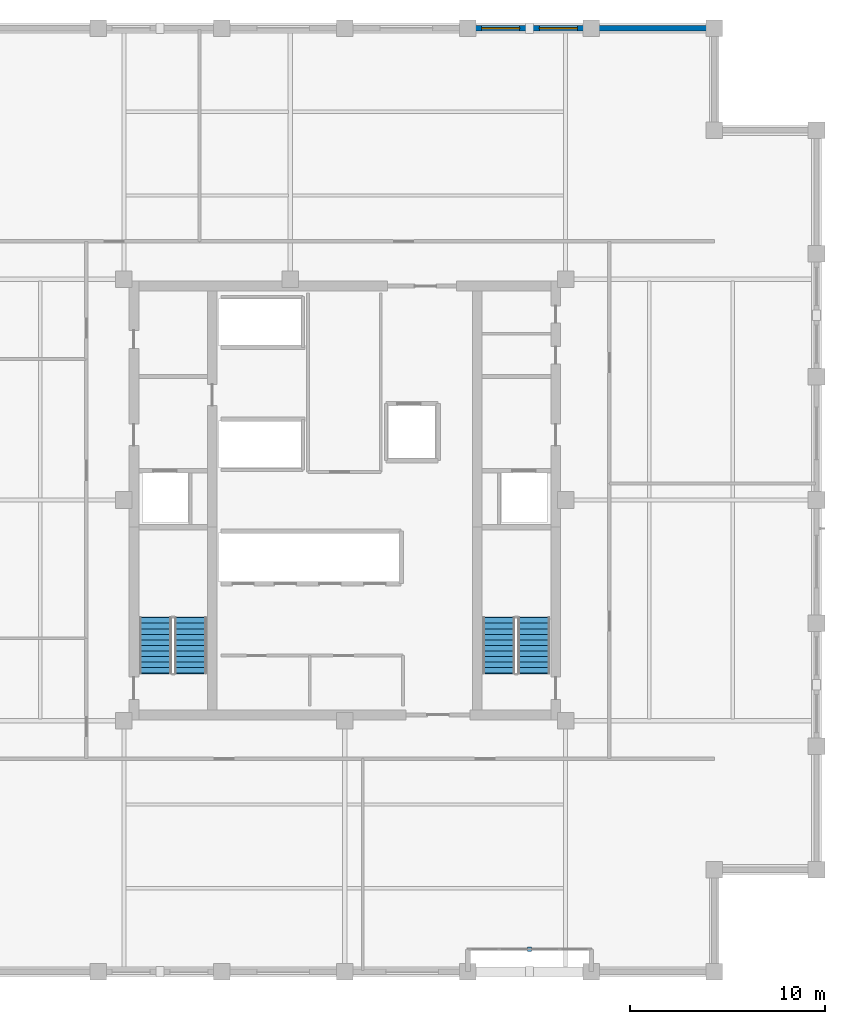
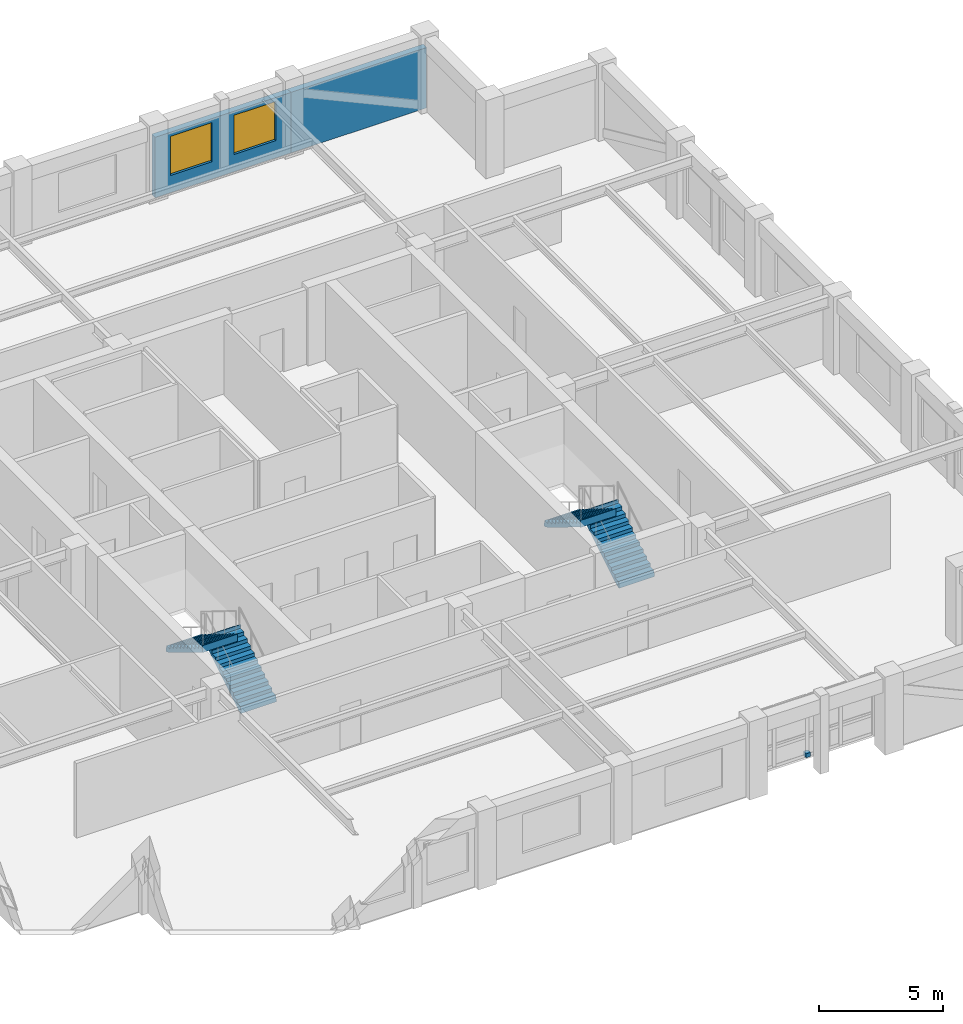
# One storey, part 12 of 13: 4 stair flights, 2 walls, 2 windows, 1 discrete accessory, 2 openings, 2 elements without a shape of their own.
"""IFC4 building model written with IfcOpenShell, lengths in metres."""

from ifc_helpers import new_model, si_unit, direction, frame, frame_2d, origin, origin_2d, place, context, subcontext, project, spatial, polyline, rectangle, outline, extrude, material, layer, layer_set, type_object, element, fill, aggregate, save


model = new_model("IFC4")

# Units and contexts
model_context = context("Model", 3, precision=1e-05, world=origin(), true_north=direction((0.0, 1.0)))
body_context = subcontext(model_context, "Body", "Model", "MODEL_VIEW")
ifc_project = project(units=[si_unit("LENGTHUNIT", "METRE"), si_unit("AREAUNIT", "SQUARE_METRE"), si_unit("VOLUMEUNIT", "CUBIC_METRE"), si_unit("PLANEANGLEUNIT", "RADIAN"), si_unit("MASSUNIT", "GRAM", prefix="KILO")], contexts=[model_context])

# Site, building, storey
site_placement = place(None, origin())
site = spatial("IfcSite", under=ifc_project, at=site_placement, CompositionType="ELEMENT")
building_placement = place(site_placement, origin())
building = spatial("IfcBuilding", under=site, at=building_placement, Name="Nhamokura Convention Tower", CompositionType="ELEMENT")
storey_placement = place(building_placement, frame((0.0, 0.0, 213.85009765625)))
storey = spatial("IfcBuildingStorey", under=building, at=storey_placement, Name="L52", CompositionType="ELEMENT", Elevation=213.85009765625)

# Wall, openings, windows
ifc_material_1 = material(Name="Bronze-pigmented precast concrete C45/55", Category="concrete")
ifc_layer = layer(ifc_material_1, 0.280029296875)
ifc_layer_set = layer_set([ifc_layer], Name="BronzePrecastSpandrel_280")
wall_type = type_object("IfcWallType", Name="BronzePrecastSpandrel_280", PredefinedType="USERDEFINED", material=ifc_layer_set)
wall_1_placement = place(storey_placement, frame((38.333251953125, 56.25, 0.0), z_axis=(0.0, 0.0, 1.0), x_axis=(1.0, 0.0, 0.0)))
wall_1 = element("IfcWall", 1, at=wall_1_placement, inside=storey, type_object=wall_type, Name="L52 Masonry-Frame Wall NORTH 4", ObjectType="SPANDREL_WALL", PredefinedType="USERDEFINED", context=body_context, shape_type="SweptSolid", body=[
    extrude(rectangle(XDim=6.33349609375, YDim=0.280029296875, at=frame_2d((3.166748046875, 0.0))), origin(), (0.0, 0.0, 1.0), 2.98486328125),
])
opening_1_placement = place(wall_1_placement, frame((0.708251953125, 0.0, 0.85009765625)))
opening_1 = element("IfcOpeningElement", 2, at=opening_1_placement, cuts=wall_1, Name="Opening W-08", PredefinedType="OPENING", context=body_context, shape_type="SweptSolid", body=[
    extrude(rectangle(XDim=1.949951171875, YDim=1.93505859375, at=frame_2d((0.97509765625, 0.967529296875))), frame((0.0, 0.14990234375, 0.0), z_axis=(0.0, -1.0, 0.0), x_axis=(1.0, 0.0, 0.0)), (0.0, 0.0, 1.0), 0.300048828125),
])
opening_2_placement = place(wall_1_placement, frame((3.675048828125, 0.0, 0.85009765625)))
opening_2 = element("IfcOpeningElement", 3, at=opening_2_placement, cuts=wall_1, Name="Opening W-08", PredefinedType="OPENING", context=body_context, shape_type="SweptSolid", body=[
    extrude(rectangle(XDim=1.949951171875, YDim=1.93505859375, at=frame_2d((0.97509765625, 0.967529296875))), frame((0.0, 0.14990234375, 0.0), z_axis=(0.0, -1.0, 0.0), x_axis=(1.0, 0.0, 0.0)), (0.0, 0.0, 1.0), 0.300048828125),
])
ifc_material_2 = material(Name="Solar-control bronze low-E double glass", Category="glass")
window_type = type_object("IfcWindowType", Name="OfficeModuleWindow_Z3_1950", PartitioningType="SINGLE_PANEL", PredefinedType="WINDOW", material=ifc_material_2)
window_1_placement = place(opening_1_placement, origin())
window_1 = element("IfcWindow", 4, at=window_1_placement, inside=storey, type_object=window_type, Name="L52 Facade Window NORTH 4-1", OverallHeight=1.93505859375, OverallWidth=1.949951171875, PartitioningType="SINGLE_PANEL", PredefinedType="WINDOW", context=body_context, shape_type="SweptSolid", body=[
    extrude(rectangle(XDim=1.949951171875, YDim=1.93505859375, at=frame_2d((0.97509765625, 0.967529296875))), frame((0.0, 0.030029296875, 0.0), z_axis=(0.0, -1.0, 0.0), x_axis=(1.0, 0.0, 0.0)), (0.0, 0.0, 1.0), 0.06005859375),
])
fill(opening_1, window_1)
window_2_placement = place(opening_2_placement, origin())
window_2 = element("IfcWindow", 5, at=window_2_placement, inside=storey, type_object=window_type, Name="L52 Facade Window NORTH 4-2", OverallHeight=1.93505859375, OverallWidth=1.949951171875, PartitioningType="SINGLE_PANEL", PredefinedType="WINDOW", context=body_context, shape_type="SweptSolid", body=[
    extrude(rectangle(XDim=1.949951171875, YDim=1.93505859375, at=frame_2d((0.97509765625, 0.967529296875))), frame((0.0, 0.030029296875, 0.0), z_axis=(0.0, -1.0, 0.0), x_axis=(1.0, 0.0, 0.0)), (0.0, 0.0, 1.0), 0.06005859375),
])
fill(opening_2, window_2)

# Wall
wall_2_placement = place(storey_placement, frame((44.666748046875, 56.25, 0.0), z_axis=(0.0, 0.0, 1.0), x_axis=(1.0, 0.0, 0.0)))
element("IfcWall", 6, at=wall_2_placement, inside=storey, type_object=wall_type, Name="L52 Braced-Bay Precast Wall NORTH 5", ObjectType="SPANDREL_WALL", PredefinedType="USERDEFINED", context=body_context, shape_type="SweptSolid", body=[
    extrude(rectangle(XDim=6.333251953125, YDim=0.280029296875, at=frame_2d((3.16650390625, 0.0))), origin(), (0.0, 0.0, 1.0), 2.98486328125),
])

# Stair, stair flights
ifc_material_3 = material(Name="Concrete C40/50", Category="concrete")
stair_type = type_object("IfcStairType", Name="TowerCoreStair_1650", PredefinedType="HALF_TURN_STAIR", material=ifc_material_3)
stair_1_placement = place(storey_placement, origin())
stair_1 = element("IfcStair", 7, at=stair_1_placement, inside=storey, type_object=stair_type, Name="L52 West Core Smokeproof Stair ST-01", PredefinedType="HALF_TURN_STAIR")
ifc_material_4 = material(Name="Concrete C40/50", Category="concrete")
stair_flight_type = type_object("IfcStairFlightType", Name="TowerCoreStair_1650_Flight", PredefinedType="STRAIGHT", material=ifc_material_4)
stair_flight_1_placement = place(storey_placement, frame((24.074951171875, 23.10009765625, 0.0), z_axis=(0.0, 0.0, 1.0), x_axis=(0.0, 1.0, 0.0)))
stair_flight_1 = element("IfcStairFlight", 8, at=stair_flight_1_placement, type_object=stair_flight_type, Name="ST-01 flight 1", NumberOfRisers=11, NumberOfTreads=10, PredefinedType="STRAIGHT", RiserHeight=0.175, TreadLength=0.285, context=body_context, shape_type="SweptSolid", body=[
    extrude(outline(polyline([(-0.0419921875, 0.0), (0.0, 0.175048828125), (0.284912109375, 0.175048828125), (0.284912109375, 0.35009765625), (0.570068359375, 0.35009765625), (0.570068359375, 0.52490234375), (0.85498046875, 0.52490234375), (0.85498046875, 0.699951171875), (1.139892578125, 0.699951171875), (1.139892578125, 0.875), (1.425048828125, 0.875), (1.425048828125, 1.050048828125), (1.7099609375, 1.050048828125), (1.7099609375, 1.22509765625), (1.9951171875, 1.22509765625), (1.9951171875, 1.39990234375), (2.280029296875, 1.39990234375), (2.280029296875, 1.574951171875), (2.56494140625, 1.574951171875), (2.56494140625, 1.75), (2.85009765625, 1.75), (2.85009765625, 1.925048828125), (2.89208984375, 1.925048828125), (2.89208984375, 1.573974609375), (2.85009765625, 1.573974609375), (0.286376953125, 0.0), (0.02001953125, -0.1298828125), (-0.0419921875, -0.1298828125), (-0.0419921875, 0.0)])), frame((0.0, 0.824951171875, 0.0), z_axis=(0.0, -1.0, 0.0), x_axis=(1.0, 0.0, 0.0)), (0.0, 0.0, 1.0), 1.64990234375),
])
stair_flight_2_placement = place(storey_placement, frame((22.27490234375, 25.949951171875, 1.9248046875), z_axis=(0.0, 0.0, 1.0), x_axis=(0.0, -1.0, 0.0)))
stair_flight_2 = element("IfcStairFlight", 9, at=stair_flight_2_placement, type_object=stair_flight_type, Name="ST-01 flight 2", NumberOfRisers=11, NumberOfTreads=10, PredefinedType="STRAIGHT", RiserHeight=0.175, TreadLength=0.285, context=body_context, shape_type="SweptSolid", body=[
    extrude(outline(polyline([(-0.0419921875, 0.0), (0.0, 0.175048828125), (0.284912109375, 0.175048828125), (0.284912109375, 0.35009765625), (0.570068359375, 0.35009765625), (0.570068359375, 0.52490234375), (0.85498046875, 0.52490234375), (0.85498046875, 0.699951171875), (1.139892578125, 0.699951171875), (1.139892578125, 0.875), (1.425048828125, 0.875), (1.425048828125, 1.050048828125), (1.7099609375, 1.050048828125), (1.7099609375, 1.22509765625), (1.9951171875, 1.22509765625), (1.9951171875, 1.39990234375), (2.280029296875, 1.39990234375), (2.280029296875, 1.574951171875), (2.56494140625, 1.574951171875), (2.56494140625, 1.75), (2.85009765625, 1.75), (2.85009765625, 1.925048828125), (2.89208984375, 1.925048828125), (2.89208984375, 1.573974609375), (2.85009765625, 1.573974609375), (0.286376953125, 0.0), (0.02001953125, -0.1298828125), (-0.0419921875, -0.1298828125), (-0.0419921875, 0.0)])), frame((0.0, 0.824951171875, 0.0), z_axis=(0.0, -1.0, 0.0), x_axis=(1.0, 0.0, 0.0)), (0.0, 0.0, 1.0), 1.64990234375),
])
aggregate(stair_1, [stair_flight_1, stair_flight_2])

stair_2_placement = place(storey_placement, origin())
stair_2 = element("IfcStair", 10, at=stair_2_placement, inside=storey, type_object=stair_type, Name="L52 East Core Smokeproof Stair ST-02", PredefinedType="HALF_TURN_STAIR")
stair_flight_3_placement = place(storey_placement, frame((41.72509765625, 23.10009765625, 0.0), z_axis=(0.0, 0.0, 1.0), x_axis=(0.0, 1.0, 0.0)))
stair_flight_3 = element("IfcStairFlight", 11, at=stair_flight_3_placement, type_object=stair_flight_type, Name="ST-02 flight 1", NumberOfRisers=11, NumberOfTreads=10, PredefinedType="STRAIGHT", RiserHeight=0.175, TreadLength=0.285, context=body_context, shape_type="SweptSolid", body=[
    extrude(outline(polyline([(-0.0419921875, 0.0), (0.0, 0.175048828125), (0.284912109375, 0.175048828125), (0.284912109375, 0.35009765625), (0.570068359375, 0.35009765625), (0.570068359375, 0.52490234375), (0.85498046875, 0.52490234375), (0.85498046875, 0.699951171875), (1.139892578125, 0.699951171875), (1.139892578125, 0.875), (1.425048828125, 0.875), (1.425048828125, 1.050048828125), (1.7099609375, 1.050048828125), (1.7099609375, 1.22509765625), (1.9951171875, 1.22509765625), (1.9951171875, 1.39990234375), (2.280029296875, 1.39990234375), (2.280029296875, 1.574951171875), (2.56494140625, 1.574951171875), (2.56494140625, 1.75), (2.85009765625, 1.75), (2.85009765625, 1.925048828125), (2.89208984375, 1.925048828125), (2.89208984375, 1.573974609375), (2.85009765625, 1.573974609375), (0.286376953125, 0.0), (0.02001953125, -0.1298828125), (-0.0419921875, -0.1298828125), (-0.0419921875, 0.0)])), frame((0.0, 0.824951171875, 0.0), z_axis=(0.0, -1.0, 0.0), x_axis=(1.0, 0.0, 0.0)), (0.0, 0.0, 1.0), 1.64990234375),
])
stair_flight_4_placement = place(storey_placement, frame((39.925048828125, 25.949951171875, 1.9248046875), z_axis=(0.0, 0.0, 1.0), x_axis=(0.0, -1.0, 0.0)))
stair_flight_4 = element("IfcStairFlight", 12, at=stair_flight_4_placement, type_object=stair_flight_type, Name="ST-02 flight 2", NumberOfRisers=11, NumberOfTreads=10, PredefinedType="STRAIGHT", RiserHeight=0.175, TreadLength=0.285, context=body_context, shape_type="SweptSolid", body=[
    extrude(outline(polyline([(-0.0419921875, 0.0), (0.0, 0.175048828125), (0.284912109375, 0.175048828125), (0.284912109375, 0.35009765625), (0.570068359375, 0.35009765625), (0.570068359375, 0.52490234375), (0.85498046875, 0.52490234375), (0.85498046875, 0.699951171875), (1.139892578125, 0.699951171875), (1.139892578125, 0.875), (1.425048828125, 0.875), (1.425048828125, 1.050048828125), (1.7099609375, 1.050048828125), (1.7099609375, 1.22509765625), (1.9951171875, 1.22509765625), (1.9951171875, 1.39990234375), (2.280029296875, 1.39990234375), (2.280029296875, 1.574951171875), (2.56494140625, 1.574951171875), (2.56494140625, 1.75), (2.85009765625, 1.75), (2.85009765625, 1.925048828125), (2.89208984375, 1.925048828125), (2.89208984375, 1.573974609375), (2.85009765625, 1.573974609375), (0.286376953125, 0.0), (0.02001953125, -0.1298828125), (-0.0419921875, -0.1298828125), (-0.0419921875, 0.0)])), frame((0.0, 0.824951171875, 0.0), z_axis=(0.0, -1.0, 0.0), x_axis=(1.0, 0.0, 0.0)), (0.0, 0.0, 1.0), 1.64990234375),
])
aggregate(stair_2, [stair_flight_3, stair_flight_4])

# Discrete accessory
ifc_material_5 = material(Name="Steel ASTM A572 Gr 50", Category="steel")
discrete_accessory_type = type_object("IfcDiscreteAccessoryType", Name="FacadeOutstandBracket", PredefinedType="BRACKET", material=ifc_material_5)
discrete_accessory_placement = place(storey_placement, frame((41.5, 8.89990234375, -0.02001953125), z_axis=(0.0, 0.0, 1.0), x_axis=(1.0, 0.0, 0.0)))
element("IfcDiscreteAccessory", 13, at=discrete_accessory_placement, inside=storey, type_object=discrete_accessory_type, Name="L52 Scale Slot Base Shoe Bracket SOUTH 4", PredefinedType="BRACKET", context=body_context, shape_type="SweptSolid", body=[
    extrude(rectangle(XDim=0.219970703125, YDim=0.219970703125, at=origin_2d()), origin(), (0.0, 0.0, 1.0), 0.199951171875),
])

save(model, "model.ifc")
